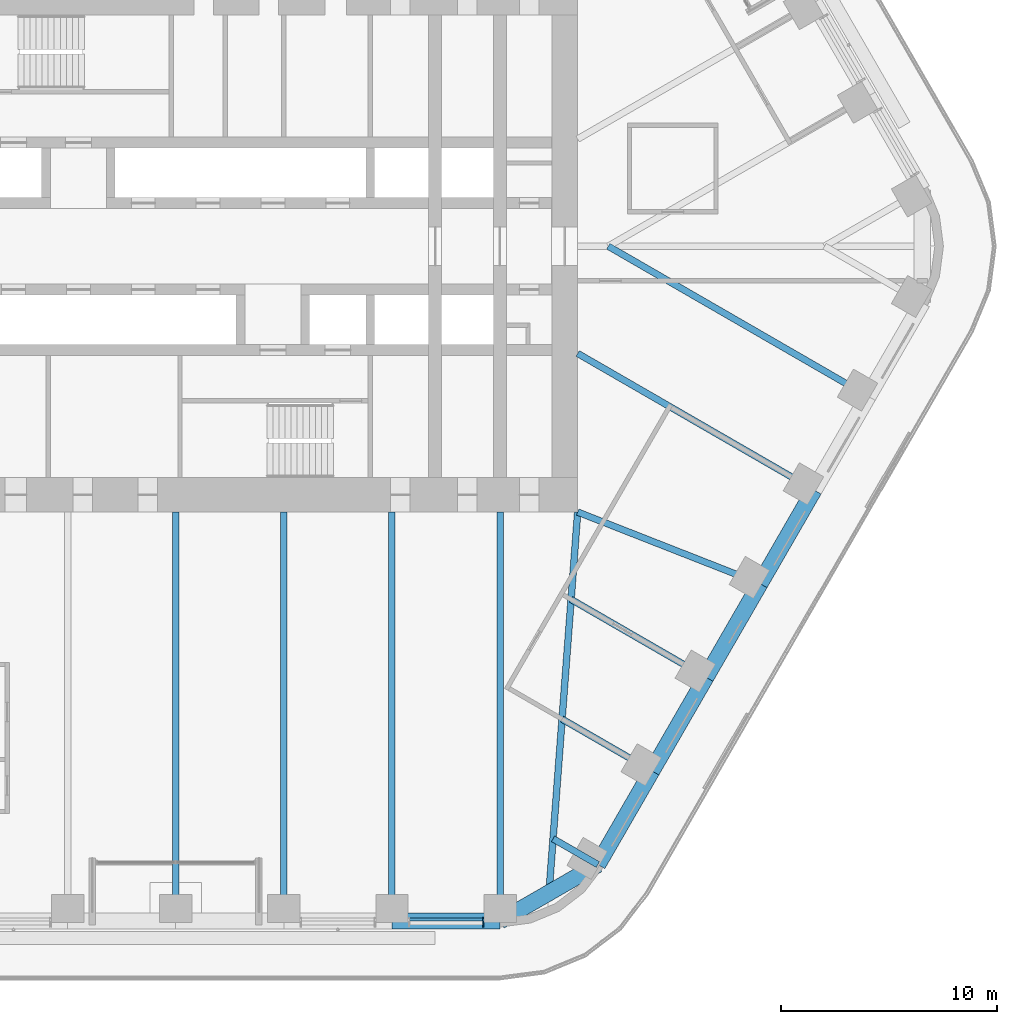
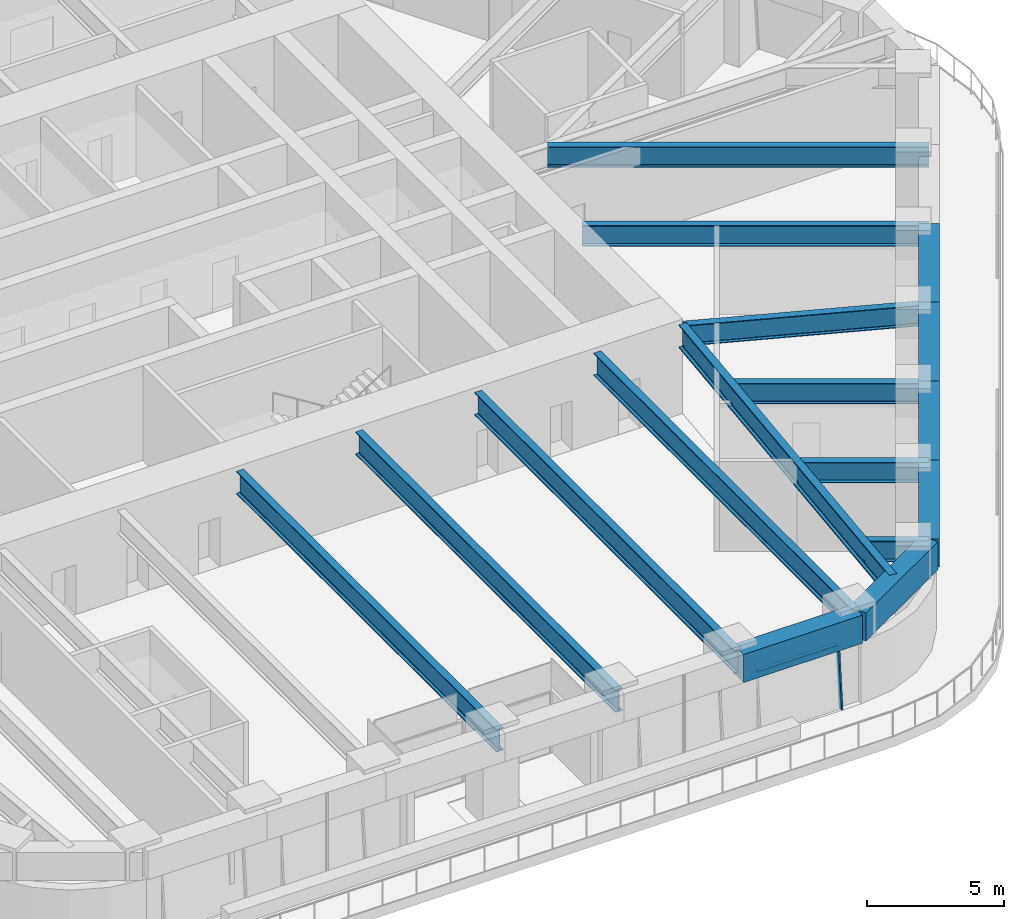
# One storey, part 5 of 24: 17 beams, 2 members, 1 element without a shape of its own.
"""IFC4 building model written with IfcOpenShell, lengths in metres."""

from ifc_helpers import new_model, si_unit, direction, frame, origin, origin_2d, place, context, subcontext, project, spatial, rectangle, i_section, extrude, material, material_profile, profile_set, type_object, element, aggregate, save


model = new_model("IFC4")

# Units and contexts
model_context = context("Model", 3, precision=1e-05, world=origin(), true_north=direction((0.0, 1.0)))
body_context = subcontext(model_context, "Body", "Model", "MODEL_VIEW")
ifc_project = project(units=[si_unit("LENGTHUNIT", "METRE"), si_unit("AREAUNIT", "SQUARE_METRE"), si_unit("VOLUMEUNIT", "CUBIC_METRE"), si_unit("PLANEANGLEUNIT", "RADIAN"), si_unit("MASSUNIT", "GRAM", prefix="KILO")], contexts=[model_context])

# Site, building, storey
site_placement = place(None, origin())
site = spatial("IfcSite", under=ifc_project, at=site_placement, CompositionType="ELEMENT")
building_placement = place(site_placement, origin())
building = spatial("IfcBuilding", under=site, at=building_placement, Name="Tarfa Lantern Tower", CompositionType="ELEMENT")
storey_placement = place(building_placement, frame((0.0, 0.0, 186.699951171875)))
storey = spatial("IfcBuildingStorey", under=building, at=storey_placement, Name="L42", CompositionType="ELEMENT", Elevation=186.699951171875)

# Curtain wall, members
ifc_material_1 = material(Name="Aluminium framed curtain wall", Category="aluminium")
curtain_wall_type = type_object("IfcCurtainWallType", Name="CW2 CANTED GLAZING MID ZONE 2750", PredefinedType="USERDEFINED", material=ifc_material_1)
curtain_wall_placement = place(storey_placement, origin())
curtain_wall = element("IfcCurtainWall", 1, at=curtain_wall_placement, inside=storey, type_object=curtain_wall_type, Name="CW2 SB L42", ObjectType="CURTAIN WALL", PredefinedType="USERDEFINED")
ifc_material_2 = material(Name="Aluminium mullion", Category="aluminium")
ifc_material_profile_1 = material_profile(ifc_material_2, rectangle(XDim=0.06494140625, YDim=0.199951171875, at=origin_2d()), Name="AL MULLION 65x200")
ifc_profile_set_1 = profile_set([ifc_material_profile_1], Name="Aluminium mullion")
member_type_1 = type_object("IfcMemberType", Name="CWM1 MULLION 65x200", PredefinedType="MULLION", material=ifc_profile_set_1)
member_1_placement = place(storey_placement, frame((14.228515625, -31.39990234375, 0.0), z_axis=(0.0, 0.090535746043, 0.995893206468), x_axis=(-1.0, 0.0, 0.0)))
member_1 = element("IfcMember", 2, at=member_1_placement, type_object=member_type_1, Name="CW2 mullion 2", PredefinedType="MULLION", context=body_context, shape_type="SweptSolid", body=[
    extrude(rectangle(XDim=0.06494140625, YDim=0.199951171875, at=origin_2d()), origin(), (0.0, 0.0, 1.0), 2.76123046875),
])
ifc_material_3 = material(Name="Aluminium transom", Category="aluminium")
ifc_material_profile_2 = material_profile(ifc_material_3, rectangle(XDim=0.14990234375, YDim=0.06494140625, at=origin_2d()), Name="AL TRANSOM 150x65")
ifc_profile_set_2 = profile_set([ifc_material_profile_2], Name="Aluminium transom")
member_type_2 = type_object("IfcMemberType", Name="CWT1 TRANSOM 150x65", PredefinedType="USERDEFINED", material=ifc_profile_set_2)
member_2_placement = place(storey_placement, frame((10.822509765625, -31.153076171875, 2.717529296875), z_axis=(1.0, 0.0, 0.0), x_axis=(0.0, 1.0, 0.0)))
member_2 = element("IfcMember", 3, at=member_2_placement, type_object=member_type_2, Name="CW2 transom 1.2", ObjectType="TRANSOM", PredefinedType="USERDEFINED", context=body_context, shape_type="SweptSolid", body=[
    extrude(rectangle(XDim=0.14990234375, YDim=0.06494140625, at=origin_2d()), origin(), (0.0, 0.0, 1.0), 3.37353515625),
])
aggregate(curtain_wall, [member_1, member_2])

# Beams
ifc_material_4 = material(Name="Concrete C80/95", Category="concrete")
ifc_material_profile_3 = material_profile(ifc_material_4, rectangle(XDim=0.75, YDim=1.25, at=origin_2d()), Name="RC 750x1250")
ifc_profile_set_3 = profile_set([ifc_material_profile_3], Name="Concrete C80/95")
beam_type_1 = type_object("IfcBeamType", Name="EB2 RC 750x1250", PredefinedType="SPANDREL", material=ifc_profile_set_3)
beam_1_placement = place(storey_placement, frame((10.00732421875, -31.219970703125, 3.375), z_axis=(1.0, 0.0, 0.0), x_axis=(0.0, 1.0, 0.0)))
element("IfcBeam", 4, at=beam_1_placement, inside=storey, type_object=beam_type_1, Name="Edge beam S5", PredefinedType="SPANDREL", context=body_context, shape_type="SweptSolid", body=[
    extrude(rectangle(XDim=0.75, YDim=1.25, at=origin_2d()), origin(), (0.0, 0.0, 1.0), 5.003662109375),
])
beam_2_placement = place(storey_placement, frame((15.010986328125, -31.219970703125, 3.375), z_axis=(0.86604150238, 0.499972115377, 0.0), x_axis=(-0.499972115377, 0.86604150238, 0.0)))
element("IfcBeam", 5, at=beam_2_placement, inside=storey, type_object=beam_type_1, Name="Edge beam S6", PredefinedType="SPANDREL", context=body_context, shape_type="SweptSolid", body=[
    extrude(rectangle(XDim=0.75, YDim=1.25, at=origin_2d()), origin(), (0.0, 0.0, 1.0), 5.219970703125),
])
beam_3_placement = place(storey_placement, frame((19.53173828125, -28.610107421875, 3.375), z_axis=(0.500001197378, 0.866024712477, 0.0), x_axis=(-0.866024712477, 0.500001197378, 0.0)))
element("IfcBeam", 6, at=beam_3_placement, inside=storey, type_object=beam_type_1, Name="Edge beam SE0", PredefinedType="SPANDREL", context=body_context, shape_type="SweptSolid", body=[
    extrude(rectangle(XDim=0.75, YDim=1.25, at=origin_2d()), origin(), (0.0, 0.0, 1.0), 5.00390625),
])
for number, where, z_axis, x_axis, name in (
    (7, (22.03369140625, -24.276611328125, 3.375), (0.49998573051, 0.866033642122, 0.0), (-0.866033642122, 0.49998573051, 0.0), "Edge beam SE1"),
    (8, (24.535400390625, -19.943359375, 3.375), (0.500022324899, 0.866012514114, 0.0), (-0.866012514114, 0.500022324899, 0.0), "Edge beam SE2"),
    (9, (27.037353515625, -15.610107421875, 3.375), (0.499964603504, 0.866045838996, 0.0), (-0.866045838996, 0.499964603504, 0.0), "Edge beam SE3"),
):
    element("IfcBeam", number, at=place(storey_placement, frame(where, z_axis=z_axis, x_axis=x_axis)), inside=storey, type_object=beam_type_1, Name=name, PredefinedType="SPANDREL", context=body_context, shape_type="SweptSolid", body=[
        extrude(rectangle(XDim=0.75, YDim=1.25, at=origin_2d()), origin(), (0.0, 0.0, 1.0), 5.003662109375),
    ])
ifc_material_5 = material(Name="Steel S460M", Category="steel")
ifc_material_profile_4 = material_profile(ifc_material_5, i_section(OverallWidth=0.302001953125, OverallDepth=1.008056640625, WebThickness=0.02099609375, FlangeThickness=0.0400390625, FilletRadius=0.030029296875, at=origin_2d()), Name="UB1016x305x349")
ifc_profile_set_4 = profile_set([ifc_material_profile_4], Name="Steel S460M")
beam_type_2 = type_object("IfcBeamType", Name="UB1016x305x349", PredefinedType="BEAM", material=ifc_profile_set_4)
for number, where, z_axis, x_axis, name in (
    (10, (0.0, -31.219970703125, 3.49609375), (0.0, 1.0, 0.0), (-1.0, 0.0, 0.0), "Floor beam S3"),
    (11, (5.003662109375, -31.219970703125, 3.49609375), (0.0, 1.0, 0.0), (-1.0, 0.0, 0.0), "Floor beam S4"),
    (12, (10.00732421875, -31.219970703125, 3.49609375), (0.0, 1.0, 0.0), (-1.0, 0.0, 0.0), "Floor beam S5"),
    (13, (15.010986328125, -31.219970703125, 3.49609375), (0.0, 1.0, 0.0), (-1.0, 0.0, 0.0), "Floor beam S6"),
):
    element("IfcBeam", number, at=place(storey_placement, frame(where, z_axis=z_axis, x_axis=x_axis)), inside=storey, type_object=beam_type_2, Name=name, PredefinedType="BEAM", context=body_context, shape_type="SweptSolid", body=[
        extrude(i_section(OverallWidth=0.302001953125, OverallDepth=1.008056640625, WebThickness=0.02099609375, FlangeThickness=0.0400390625, FilletRadius=0.030029296875, at=origin_2d()), origin(), (0.0, 0.0, 1.0), 18.919921875),
    ])
ifc_material_profile_5 = material_profile(ifc_material_5, i_section(OverallWidth=0.30859375, OverallDepth=1.036376953125, WebThickness=0.030029296875, FlangeThickness=0.05419921875, FilletRadius=0.030029296875, at=origin_2d()), Name="UB1016x305x487")
ifc_profile_set_5 = profile_set([ifc_material_profile_5], Name="Steel S460M")
beam_type_3 = type_object("IfcBeamType", Name="UB1016x305x487", PredefinedType="BEAM", material=ifc_profile_set_5)
beam_4_placement = place(storey_placement, frame((18.60009765625, -12.300048828125, 3.48193359375), z_axis=(-0.075211516041, -0.99716760269, 0.0), x_axis=(0.99716760269, -0.075211516041, 0.0)))
element("IfcBeam", 14, at=beam_4_placement, inside=storey, type_object=beam_type_3, Name="Hip girder SE", PredefinedType="BEAM", context=body_context, shape_type="SweptSolid", body=[
    extrude(i_section(OverallWidth=0.30859375, OverallDepth=1.036376953125, WebThickness=0.030029296875, FlangeThickness=0.05419921875, FilletRadius=0.030029296875, at=origin_2d()), origin(), (0.0, 0.0, 1.0), 17.6650390625),
])
ifc_material_profile_6 = material_profile(ifc_material_5, i_section(OverallWidth=0.305419921875, OverallDepth=0.91845703125, WebThickness=0.017333984375, FlangeThickness=0.02783203125, FilletRadius=0.01904296875, at=origin_2d()), Name="UB914x305x253")
ifc_profile_set_6 = profile_set([ifc_material_profile_6], Name="Steel S460M")
beam_type_4 = type_object("IfcBeamType", Name="UB914x305x253", PredefinedType="BEAM", material=ifc_profile_set_6)
beam_5_placement = place(storey_placement, frame((19.53173828125, -28.610107421875, 3.540771484375), z_axis=(-0.865998640954, 0.500046351717, 0.0), x_axis=(-0.500046351717, -0.865998640954, 0.0)))
element("IfcBeam", 15, at=beam_5_placement, inside=storey, type_object=beam_type_4, Name="Floor beam SE0", PredefinedType="BEAM", context=body_context, shape_type="SweptSolid", body=[
    extrude(i_section(OverallWidth=0.305419921875, OverallDepth=0.91845703125, WebThickness=0.017333984375, FlangeThickness=0.02783203125, FilletRadius=0.01904296875, at=origin_2d()), origin(), (0.0, 0.0, 1.0), 2.392333984375),
])
beam_6_placement = place(storey_placement, frame((22.03369140625, -24.276611328125, 3.540771484375), z_axis=(-0.866030550462, 0.499991085587, 0.0), x_axis=(-0.499991085587, -0.866030550462, 0.0)))
element("IfcBeam", 16, at=beam_6_placement, inside=storey, type_object=beam_type_4, Name="Floor beam SE1", PredefinedType="BEAM", context=body_context, shape_type="SweptSolid", body=[
    extrude(i_section(OverallWidth=0.305419921875, OverallDepth=0.91845703125, WebThickness=0.017333984375, FlangeThickness=0.02783203125, FilletRadius=0.01904296875, at=origin_2d()), origin(), (0.0, 0.0, 1.0), 4.798828125),
])
beam_7_placement = place(storey_placement, frame((24.535400390625, -19.943359375, 3.540771484375), z_axis=(-0.86602647304, 0.499998147991, 0.0), x_axis=(-0.499998147991, -0.86602647304, 0.0)))
element("IfcBeam", 17, at=beam_7_placement, inside=storey, type_object=beam_type_4, Name="Floor beam SE2", PredefinedType="BEAM", context=body_context, shape_type="SweptSolid", body=[
    extrude(i_section(OverallWidth=0.305419921875, OverallDepth=0.91845703125, WebThickness=0.017333984375, FlangeThickness=0.02783203125, FilletRadius=0.01904296875, at=origin_2d()), origin(), (0.0, 0.0, 1.0), 7.20556640625),
])
beam_8_placement = place(storey_placement, frame((27.037353515625, -15.610107421875, 3.540771484375), z_axis=(-0.930923282782, 0.365214788274, 0.0), x_axis=(-0.365214788274, -0.930923282782, 0.0)))
element("IfcBeam", 18, at=beam_8_placement, inside=storey, type_object=beam_type_4, Name="Floor beam SE3", PredefinedType="BEAM", context=body_context, shape_type="SweptSolid", body=[
    extrude(i_section(OverallWidth=0.305419921875, OverallDepth=0.91845703125, WebThickness=0.017333984375, FlangeThickness=0.02783203125, FilletRadius=0.01904296875, at=origin_2d()), origin(), (0.0, 0.0, 1.0), 9.063232421875),
])
beam_9_placement = place(storey_placement, frame((29.5390625, -11.276611328125, 3.540771484375), z_axis=(-0.866023362995, 0.500003534735, 0.0), x_axis=(-0.500003534735, -0.866023362995, 0.0)))
element("IfcBeam", 19, at=beam_9_placement, inside=storey, type_object=beam_type_4, Name="Floor beam SE4", PredefinedType="BEAM", context=body_context, shape_type="SweptSolid", body=[
    extrude(i_section(OverallWidth=0.305419921875, OverallDepth=0.91845703125, WebThickness=0.017333984375, FlangeThickness=0.02783203125, FilletRadius=0.01904296875, at=origin_2d()), origin(), (0.0, 0.0, 1.0), 12.63134765625),
])
beam_10_placement = place(storey_placement, frame((32.041015625, -6.943359375, 3.540771484375), z_axis=(-0.866023096411, 0.500003996466, 0.0), x_axis=(-0.500003996466, -0.866023096411, 0.0)))
element("IfcBeam", 20, at=beam_10_placement, inside=storey, type_object=beam_type_4, Name="Floor beam SE5", PredefinedType="BEAM", context=body_context, shape_type="SweptSolid", body=[
    extrude(i_section(OverallWidth=0.305419921875, OverallDepth=0.91845703125, WebThickness=0.017333984375, FlangeThickness=0.02783203125, FilletRadius=0.01904296875, at=origin_2d()), origin(), (0.0, 0.0, 1.0), 13.88671875),
])

save(model, "model.ifc")
